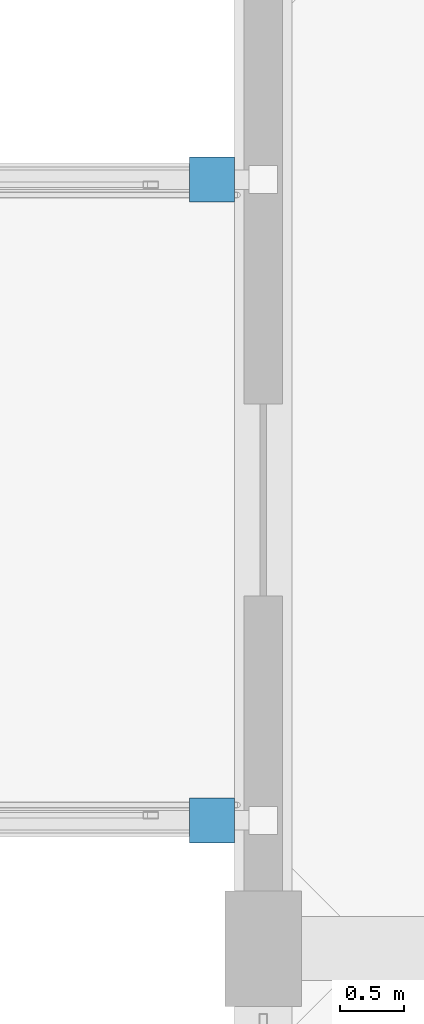
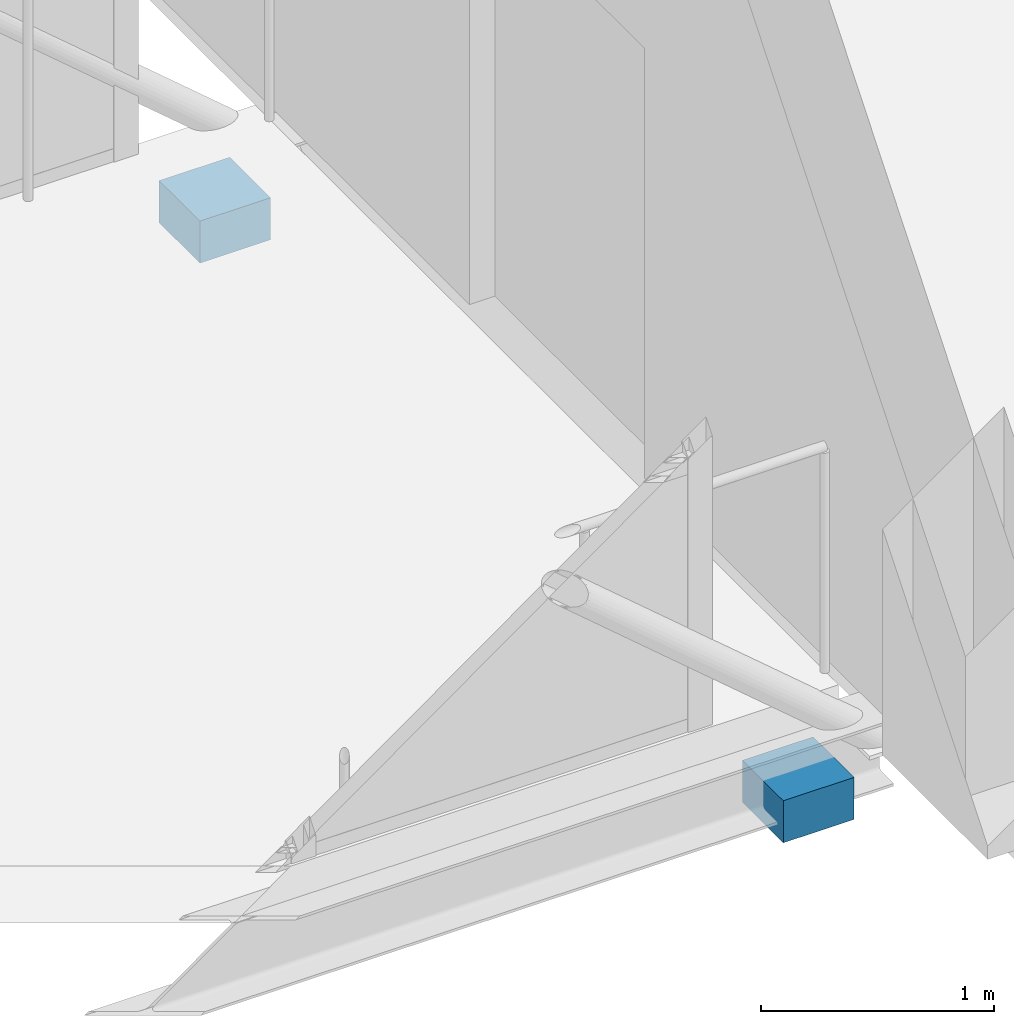
# One storey, part 236 of 248: 2 discrete accessories.
"""IFC4 building model written with IfcOpenShell, lengths in metres."""

from ifc_helpers import new_model, si_unit, direction, frame, origin, origin_2d, place, context, subcontext, project, spatial, rectangle, extrude, material, type_object, element, save


model = new_model("IFC4")

# Units and contexts
model_context = context("Model", 3, precision=1e-05, world=origin(), true_north=direction((0.0, 1.0)))
body_context = subcontext(model_context, "Body", "Model", "MODEL_VIEW")
ifc_project = project(units=[si_unit("LENGTHUNIT", "METRE"), si_unit("AREAUNIT", "SQUARE_METRE"), si_unit("VOLUMEUNIT", "CUBIC_METRE"), si_unit("PLANEANGLEUNIT", "RADIAN"), si_unit("MASSUNIT", "GRAM", prefix="KILO")], contexts=[model_context])

# Site, building, storey
site_placement = place(None, origin())
site = spatial("IfcSite", under=ifc_project, at=site_placement, CompositionType="ELEMENT")
building_placement = place(site_placement, origin())
building = spatial("IfcBuilding", under=site, at=building_placement, Name="Canggui Botanical Conservatory", CompositionType="ELEMENT")
storey_placement = place(building_placement, frame((0.0, 0.0, 5.39990234375)))
storey = spatial("IfcBuildingStorey", under=building, at=storey_placement, Name="L02", CompositionType="ELEMENT", Elevation=5.39990234375)

# Discrete accessories
ifc_material = material(Name="Steel Q355B", Category="steel")
discrete_accessory_type = type_object("IfcDiscreteAccessoryType", Name="ACC-SBN01", PredefinedType="SHOE", material=ifc_material)
for number, where, z_axis, x_axis, name in (
    (1, (129.60009765625, 75.0, -0.58984375), (0.0, 0.0, 1.0), (1.0, 0.0, 0.0), "Unguided Bidirectional PTFE Sliding Bearing SBN-04-1"),
    (2, (129.60009765625, 80.0, -0.58984375), (0.0, 0.0, 1.0), (1.0, 0.0, 0.0), "Unguided Bidirectional PTFE Sliding Bearing SBN-04-2"),
):
    element("IfcDiscreteAccessory", number, at=place(storey_placement, frame(where, z_axis=z_axis, x_axis=x_axis)), inside=storey, type_object=discrete_accessory_type, Name=name, PredefinedType="SHOE", context=body_context, shape_type="SweptSolid", body=[
        extrude(rectangle(XDim=0.35009765625, YDim=0.35009765625, at=origin_2d()), origin(), (0.0, 0.0, 1.0), 0.219970703125),
    ])

save(model, "model.ifc")
